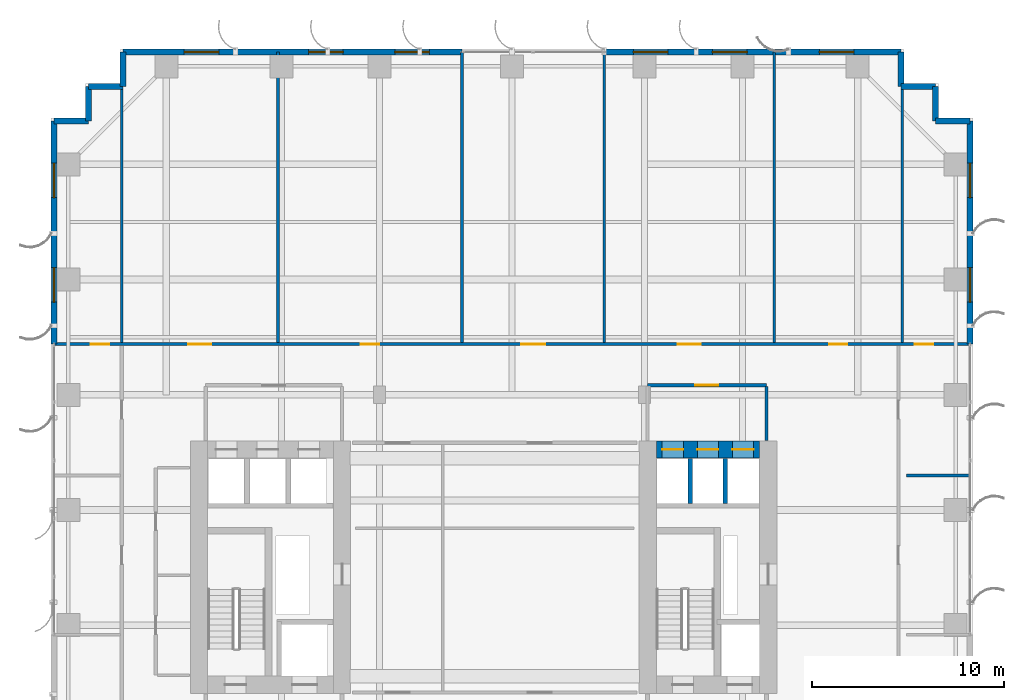
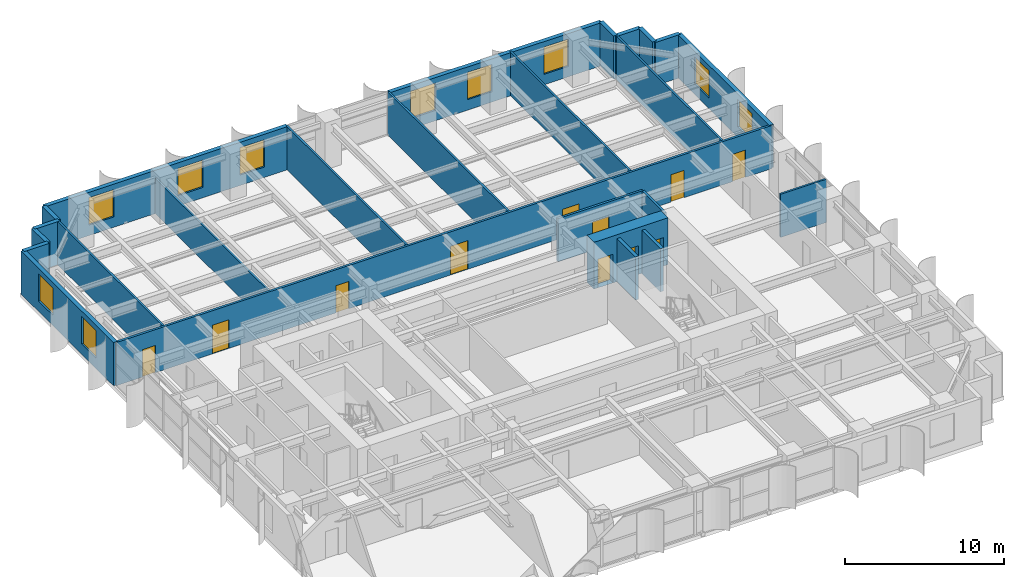
# One storey, part 20 of 25: 25 walls, 11 doors, 10 windows, 21 openings.
"""IFC4 building model written with IfcOpenShell, lengths in metres."""

from ifc_helpers import new_model, si_unit, direction, frame, frame_2d, origin, place, context, subcontext, project, spatial, rectangle, extrude, source, transform, mapped, material, layer, layer_set, type_object, element, fill, save


model = new_model("IFC4")

# Units and contexts
model_context = context("Model", 3, precision=1e-05, world=origin(), true_north=direction((0.0, 1.0)))
body_context = subcontext(model_context, "Body", "Model", "MODEL_VIEW")
ifc_project = project(units=[si_unit("LENGTHUNIT", "METRE"), si_unit("AREAUNIT", "SQUARE_METRE"), si_unit("VOLUMEUNIT", "CUBIC_METRE"), si_unit("PLANEANGLEUNIT", "RADIAN"), si_unit("MASSUNIT", "GRAM", prefix="KILO")], contexts=[model_context])

# Site, building, storey
site_placement = place(None, origin())
site = spatial("IfcSite", under=ifc_project, at=site_placement, CompositionType="ELEMENT")
building_placement = place(site_placement, origin())
building = spatial("IfcBuilding", under=site, at=building_placement, Name="Khoralis Quay Care Tower", CompositionType="ELEMENT")
storey_placement = place(building_placement, frame((0.0, 0.0, 51.300048828125)))
storey = spatial("IfcBuildingStorey", under=building, at=storey_placement, Name="L13", CompositionType="ELEMENT", Elevation=51.300048828125)

# Wall, openings, doors
ifc_material_1 = material(Name="Concrete C80/95", Category="concrete")
ifc_layer_1 = layer(ifc_material_1, 0.89990234375)
ifc_layer_set_1 = layer_set([ifc_layer_1], Name="Concrete C80/95")
wall_type_1 = type_object("IfcWallType", Name="WL-CORE-900", PredefinedType="SHEAR", material=ifc_layer_set_1)
wall_1_placement = place(storey_placement, frame((31.52001953125, 27.14990234375, 0.0), z_axis=(0.0, 0.0, 1.0), x_axis=(1.0, 0.0, 0.0)))
wall_1 = element("IfcWall", 1, at=wall_1_placement, inside=storey, type_object=wall_type_1, Name="L13 ECORE North Shear Wall", PredefinedType="SHEAR", context=body_context, shape_type="SweptSolid", body=[
    extrude(rectangle(XDim=5.3798828125, YDim=0.89990234375, at=frame_2d((2.68994140625, 0.0))), origin(), (0.0, 0.0, 1.0), 3.599853515625),
])
opening_1_placement = place(wall_1_placement, frame((0.300048828125, 0.0, 0.0)))
opening_1 = element("IfcOpeningElement", 2, at=opening_1_placement, cuts=wall_1, Name="Opening LD1", PredefinedType="OPENING", context=body_context, shape_type="SweptSolid", body=[
    extrude(rectangle(XDim=1.10009765625, YDim=2.199951171875, at=frame_2d((0.550048828125, 1.10009765625))), frame((0.0, 0.4599609375, 0.0), z_axis=(0.0, -1.0, 0.0), x_axis=(1.0, 0.0, 0.0)), (0.0, 0.0, 1.0), 0.919921875),
])
opening_2_placement = place(wall_1_placement, frame((2.1298828125, 0.0, 0.0)))
opening_2 = element("IfcOpeningElement", 3, at=opening_2_placement, cuts=wall_1, Name="Opening LD1", PredefinedType="OPENING", context=body_context, shape_type="SweptSolid", body=[
    extrude(rectangle(XDim=1.10009765625, YDim=2.199951171875, at=frame_2d((0.550048828125, 1.10009765625))), frame((0.0, 0.4599609375, 0.0), z_axis=(0.0, -1.0, 0.0), x_axis=(1.0, 0.0, 0.0)), (0.0, 0.0, 1.0), 0.919921875),
])
opening_3_placement = place(wall_1_placement, frame((3.9599609375, 0.0, 0.0)))
opening_3 = element("IfcOpeningElement", 4, at=opening_3_placement, cuts=wall_1, Name="Opening LD1", PredefinedType="OPENING", context=body_context, shape_type="SweptSolid", body=[
    extrude(rectangle(XDim=1.10009765625, YDim=2.199951171875, at=frame_2d((0.550048828125, 1.10009765625))), frame((0.0, 0.4599609375, 0.0), z_axis=(0.0, -1.0, 0.0), x_axis=(1.0, 0.0, 0.0)), (0.0, 0.0, 1.0), 0.919921875),
])
ifc_material_2 = material(Name="Brushed stainless steel", Category="steel")
door_type_1 = type_object("IfcDoorType", Name="DR-LIFT-1100X2200", OperationType="SLIDING_TO_LEFT", PredefinedType="DOOR", material=ifc_material_2)
shared_shape_1 = source(origin(), body_context, "Body", "SweptSolid", [
    extrude(rectangle(XDim=1.10009765625, YDim=2.199951171875, at=frame_2d((0.550048828125, 1.10009765625))), frame((0.0, 0.02490234375, 0.0), z_axis=(0.0, -1.0, 0.0), x_axis=(1.0, 0.0, 0.0)), (0.0, 0.0, 1.0), 0.050048828125),
])
door_1_placement = place(opening_1_placement, origin())
door_1 = element("IfcDoor", 5, at=door_1_placement, inside=storey, type_object=door_type_1, Name="L13 Lift PLL2 Landing Door", OperationType="SLIDING_TO_LEFT", OverallHeight=2.199951171875, OverallWidth=1.10009765625, PredefinedType="DOOR", context=body_context, shape_type="MappedRepresentation", body=[
    mapped(shared_shape_1, transform((0.0, 0.0, 0.0), scale=1.0)),
])
fill(opening_1, door_1)
door_2_placement = place(opening_2_placement, origin())
door_2 = element("IfcDoor", 6, at=door_2_placement, inside=storey, type_object=door_type_1, Name="L13 Lift PLM2 Landing Door", OperationType="SLIDING_TO_LEFT", OverallHeight=2.199951171875, OverallWidth=1.10009765625, PredefinedType="DOOR", context=body_context, shape_type="MappedRepresentation", body=[
    mapped(shared_shape_1, transform((0.0, 0.0, 0.0), scale=1.0)),
])
fill(opening_2, door_2)
door_3_placement = place(opening_3_placement, origin())
door_3 = element("IfcDoor", 7, at=door_3_placement, inside=storey, type_object=door_type_1, Name="L13 Lift PLH2 Landing Door", OperationType="SLIDING_TO_LEFT", OverallHeight=2.199951171875, OverallWidth=1.10009765625, PredefinedType="DOOR", context=body_context, shape_type="MappedRepresentation", body=[
    mapped(shared_shape_1, transform((0.0, 0.0, 0.0), scale=1.0)),
])
fill(opening_3, door_3)

# Wall, opening, door
ifc_material_3 = material(Name="Gypsum plasterboard on acoustic metal stud")
ifc_layer_2 = layer(ifc_material_3, 0.1650390625)
ifc_layer_set_2 = layer_set([ifc_layer_2], Name="Gypsum plasterboard on acoustic metal stud")
wall_type_2 = type_object("IfcWallType", Name="WL-CORR-165", PredefinedType="PARTITIONING", material=ifc_layer_set_2)
wall_2_placement = place(storey_placement, frame((31.050048828125, 30.5, 0.0), z_axis=(0.0, 0.0, 1.0), x_axis=(1.0, 0.0, 0.0)))
wall_2 = element("IfcWall", 8, at=wall_2_placement, inside=storey, type_object=wall_type_2, Name="L13 East Lift Lobby North Wall", PredefinedType="PARTITIONING", context=body_context, shape_type="SweptSolid", body=[
    extrude(rectangle(XDim=6.199951171875, YDim=0.1650390625, at=frame_2d((3.10009765625, 0.0))), origin(), (0.0, 0.0, 1.0), 3.320068359375),
])
opening_4_placement = place(wall_2_placement, frame((2.5, 0.0, 0.0)))
opening_4 = element("IfcOpeningElement", 9, at=opening_4_placement, cuts=wall_2, Name="Opening FD1", PredefinedType="OPENING", context=body_context, shape_type="SweptSolid", body=[
    extrude(rectangle(XDim=1.199951171875, YDim=2.199951171875, at=frame_2d((0.60009765625, 1.10009765625))), frame((0.0, 0.092529296875, 0.0), z_axis=(0.0, -1.0, 0.0), x_axis=(1.0, 0.0, 0.0)), (0.0, 0.0, 1.0), 0.18505859375),
])
ifc_material_4 = material(Name="Fire-rated painted steel", Category="steel")
door_type_2 = type_object("IfcDoorType", Name="DR-FFL-1200X2200", OperationType="NOTDEFINED", PredefinedType="DOOR", material=ifc_material_4)
shared_shape_2 = source(origin(), body_context, "Body", "SweptSolid", [
    extrude(rectangle(XDim=1.199951171875, YDim=2.199951171875, at=frame_2d((0.60009765625, 1.10009765625))), frame((0.0, 0.02490234375, 0.0), z_axis=(0.0, -1.0, 0.0), x_axis=(1.0, 0.0, 0.0)), (0.0, 0.0, 1.0), 0.050048828125),
])
door_4_placement = place(opening_4_placement, origin())
door_4 = element("IfcDoor", 10, at=door_4_placement, inside=storey, type_object=door_type_2, Name="L13 East Lift Lobby Double Door", OperationType="DOUBLE_DOOR_SINGLE_SWING", OverallHeight=2.199951171875, OverallWidth=1.199951171875, PredefinedType="DOOR", context=body_context, shape_type="MappedRepresentation", body=[
    mapped(shared_shape_2, transform((0.0, 0.0, 0.0), scale=1.0)),
])
fill(opening_4, door_4)

# Wall
wall_3_placement = place(storey_placement, frame((37.25, 27.6201171875, 0.0), z_axis=(0.0, 0.0, 1.0), x_axis=(0.0, 1.0, 0.0)))
element("IfcWall", 11, at=wall_3_placement, inside=storey, type_object=wall_type_2, Name="L13 East Lift Lobby East Wall", PredefinedType="PARTITIONING", context=body_context, shape_type="SweptSolid", body=[
    extrude(rectangle(XDim=2.802490234375, YDim=0.1650390625, at=frame_2d((1.4013671875, 0.0))), origin(), (0.0, 0.0, 1.0), 3.320068359375),
])

# Wall, openings, doors
wall_4_placement = place(storey_placement, frame((0.14501953125, 32.639892578125, 0.0), z_axis=(0.0, 0.0, 1.0), x_axis=(1.0, 0.0, 0.0)))
wall_4 = element("IfcWall", 12, at=wall_4_placement, inside=storey, type_object=wall_type_2, Name="L13 North Main Corridor Wall", PredefinedType="PARTITIONING", context=body_context, shape_type="SweptSolid", body=[
    extrude(rectangle(XDim=47.7099609375, YDim=0.1650390625, at=frame_2d((23.85498046875, 0.0))), origin(), (0.0, 0.0, 1.0), 3.320068359375),
])
opening_5_placement = place(wall_4_placement, frame((7.0, 0.0, 0.0)))
opening_5 = element("IfcOpeningElement", 13, at=opening_5_placement, cuts=wall_4, Name="Opening FD1", PredefinedType="OPENING", context=body_context, shape_type="SweptSolid", body=[
    extrude(rectangle(XDim=1.199951171875, YDim=2.199951171875, at=frame_2d((0.60009765625, 1.10009765625))), frame((0.0, 0.092529296875, 0.0), z_axis=(0.0, -1.0, 0.0), x_axis=(1.0, 0.0, 0.0)), (0.0, 0.0, 1.0), 0.18505859375),
])
opening_6_placement = place(wall_4_placement, frame((15.985107421875, 0.0, 0.0)))
opening_6 = element("IfcOpeningElement", 14, at=opening_6_placement, cuts=wall_4, Name="Opening ID1", PredefinedType="OPENING", context=body_context, shape_type="SweptSolid", body=[
    extrude(rectangle(XDim=0.949951171875, YDim=2.10009765625, at=frame_2d((0.47509765625, 1.050048828125))), frame((0.0, 0.092529296875, 0.0), z_axis=(0.0, -1.0, 0.0), x_axis=(1.0, 0.0, 0.0)), (0.0, 0.0, 1.0), 0.18505859375),
])
opening_7_placement = place(wall_4_placement, frame((24.330078125, 0.0, 0.0)))
opening_7 = element("IfcOpeningElement", 15, at=opening_7_placement, cuts=wall_4, Name="Opening CD1", PredefinedType="OPENING", context=body_context, shape_type="SweptSolid", body=[
    extrude(rectangle(XDim=1.25, YDim=2.199951171875, at=frame_2d((0.625, 1.10009765625))), frame((0.0, 0.092529296875, 0.0), z_axis=(0.0, -1.0, 0.0), x_axis=(1.0, 0.0, 0.0)), (0.0, 0.0, 1.0), 0.18505859375),
])
opening_8_placement = place(wall_4_placement, frame((32.485107421875, 0.0, 0.0)))
opening_8 = element("IfcOpeningElement", 16, at=opening_8_placement, cuts=wall_4, Name="Opening FD1", PredefinedType="OPENING", context=body_context, shape_type="SweptSolid", body=[
    extrude(rectangle(XDim=1.199951171875, YDim=2.199951171875, at=frame_2d((0.60009765625, 1.10009765625))), frame((0.0, 0.092529296875, 0.0), z_axis=(0.0, -1.0, 0.0), x_axis=(1.0, 0.0, 0.0)), (0.0, 0.0, 1.0), 0.18505859375),
])
opening_9_placement = place(wall_4_placement, frame((40.3701171875, 0.0, 0.0)))
opening_9 = element("IfcOpeningElement", 17, at=opening_9_placement, cuts=wall_4, Name="Opening ID1", PredefinedType="OPENING", context=body_context, shape_type="SweptSolid", body=[
    extrude(rectangle(XDim=0.949951171875, YDim=2.10009765625, at=frame_2d((0.47509765625, 1.050048828125))), frame((0.0, 0.092529296875, 0.0), z_axis=(0.0, -1.0, 0.0), x_axis=(1.0, 0.0, 0.0)), (0.0, 0.0, 1.0), 0.18505859375),
])
opening_10_placement = place(wall_4_placement, frame((1.919921875, 0.0, 0.0)))
opening_10 = element("IfcOpeningElement", 18, at=opening_10_placement, cuts=wall_4, Name="Opening ID1", PredefinedType="OPENING", context=body_context, shape_type="SweptSolid", body=[
    extrude(rectangle(XDim=0.949951171875, YDim=2.10009765625, at=frame_2d((0.47509765625, 1.050048828125))), frame((0.0, 0.092529296875, 0.0), z_axis=(0.0, -1.0, 0.0), x_axis=(1.0, 0.0, 0.0)), (0.0, 0.0, 1.0), 0.18505859375),
])
opening_11_placement = place(wall_4_placement, frame((44.840087890625, 0.0, 0.0)))
opening_11 = element("IfcOpeningElement", 19, at=opening_11_placement, cuts=wall_4, Name="Opening ID1", PredefinedType="OPENING", context=body_context, shape_type="SweptSolid", body=[
    extrude(rectangle(XDim=0.949951171875, YDim=2.10009765625, at=frame_2d((0.47509765625, 1.050048828125))), frame((0.0, 0.092529296875, 0.0), z_axis=(0.0, -1.0, 0.0), x_axis=(1.0, 0.0, 0.0)), (0.0, 0.0, 1.0), 0.18505859375),
])
door_5_placement = place(opening_5_placement, origin())
door_5 = element("IfcDoor", 20, at=door_5_placement, inside=storey, type_object=door_type_2, Name="L13 Senior Wellness Pharmacy Shop Door", OperationType="DOUBLE_DOOR_SINGLE_SWING", OverallHeight=2.199951171875, OverallWidth=1.199951171875, PredefinedType="DOOR", context=body_context, shape_type="MappedRepresentation", body=[
    mapped(shared_shape_2, transform((0.0, 0.0, 0.0), scale=1.0)),
])
fill(opening_5, door_5)
door_6_placement = place(opening_8_placement, origin())
door_6 = element("IfcDoor", 21, at=door_6_placement, inside=storey, type_object=door_type_2, Name="L13 Assisted Communal Dining Room Door", OperationType="DOUBLE_DOOR_SINGLE_SWING", OverallHeight=2.199951171875, OverallWidth=1.199951171875, PredefinedType="DOOR", context=body_context, shape_type="MappedRepresentation", body=[
    mapped(shared_shape_2, transform((0.0, 0.0, 0.0), scale=1.0)),
])
fill(opening_8, door_6)
ifc_material_5 = material(Name="Acoustic hardwood timber", Category="wood")
door_type_3 = type_object("IfcDoorType", Name="DR-CARE-1250X2200", OperationType="NOTDEFINED", PredefinedType="DOOR", material=ifc_material_5)
shared_shape_3 = source(origin(), body_context, "Body", "SweptSolid", [
    extrude(rectangle(XDim=1.25, YDim=2.199951171875, at=frame_2d((0.625, 1.10009765625))), frame((0.0, 0.02490234375, 0.0), z_axis=(0.0, -1.0, 0.0), x_axis=(1.0, 0.0, 0.0)), (0.0, 0.0, 1.0), 0.050048828125),
])
door_7_placement = place(opening_7_placement, origin())
door_7 = element("IfcDoor", 22, at=door_7_placement, inside=storey, type_object=door_type_3, Name="L13 Physiotherapy Treatment Clinic Door", OperationType="SINGLE_SWING_LEFT", OverallHeight=2.199951171875, OverallWidth=1.25, PredefinedType="DOOR", context=body_context, shape_type="MappedRepresentation", body=[
    mapped(shared_shape_3, transform((0.0, 0.0, 0.0), scale=1.0)),
])
fill(opening_7, door_7)
door_type_4 = type_object("IfcDoorType", Name="DR-ROOM-950X2100", OperationType="NOTDEFINED", PredefinedType="DOOR", material=ifc_material_5)
shared_shape_4 = source(origin(), body_context, "Body", "SweptSolid", [
    extrude(rectangle(XDim=0.949951171875, YDim=2.10009765625, at=frame_2d((0.47509765625, 1.050048828125))), frame((0.0, 0.02490234375, 0.0), z_axis=(0.0, -1.0, 0.0), x_axis=(1.0, 0.0, 0.0)), (0.0, 0.0, 1.0), 0.050048828125),
])
door_8_placement = place(opening_6_placement, origin())
door_8 = element("IfcDoor", 23, at=door_8_placement, inside=storey, type_object=door_type_4, Name="L13 Family Case Conference Room Door", OperationType="SINGLE_SWING_LEFT", OverallHeight=2.10009765625, OverallWidth=0.949951171875, PredefinedType="DOOR", context=body_context, shape_type="MappedRepresentation", body=[
    mapped(shared_shape_4, transform((0.0, 0.0, 0.0), scale=1.0)),
])
fill(opening_6, door_8)
door_9_placement = place(opening_9_placement, origin())
door_9 = element("IfcDoor", 24, at=door_9_placement, inside=storey, type_object=door_type_4, Name="L13 Care Coordination Office Door", OperationType="SINGLE_SWING_RIGHT", OverallHeight=2.10009765625, OverallWidth=0.949951171875, PredefinedType="DOOR", context=body_context, shape_type="MappedRepresentation", body=[
    mapped(shared_shape_4, transform((0.0, 0.0, 0.0), scale=1.0)),
])
fill(opening_9, door_9)
door_10_placement = place(opening_10_placement, origin())
door_10 = element("IfcDoor", 25, at=door_10_placement, inside=storey, type_object=door_type_4, Name="L13 NW Corner Door", OperationType="SINGLE_SWING_RIGHT", OverallHeight=2.10009765625, OverallWidth=0.949951171875, PredefinedType="DOOR", context=body_context, shape_type="MappedRepresentation", body=[
    mapped(shared_shape_4, transform((0.0, 0.0, 0.0), scale=1.0)),
])
fill(opening_10, door_10)
door_11_placement = place(opening_11_placement, origin())
door_11 = element("IfcDoor", 26, at=door_11_placement, inside=storey, type_object=door_type_4, Name="L13 NE Corner Door", OperationType="SINGLE_SWING_LEFT", OverallHeight=2.10009765625, OverallWidth=0.949951171875, PredefinedType="DOOR", context=body_context, shape_type="MappedRepresentation", body=[
    mapped(shared_shape_4, transform((0.0, 0.0, 0.0), scale=1.0)),
])
fill(opening_11, door_11)

# Wall, openings, windows
ifc_material_6 = material(Name="Precast concrete C45/55", Category="concrete")
ifc_layer_3 = layer(ifc_material_6, 0.300048828125)
ifc_layer_set_3 = layer_set([ifc_layer_3], Name="Precast concrete C45/55")
wall_type_3 = type_object("IfcWallType", Name="WL-EXT-REF-300", PredefinedType="SOLIDWALL", material=ifc_layer_set_3)
wall_5_placement = place(storey_placement, frame((47.85009765625, 32.639892578125, 0.0), z_axis=(0.0, 0.0, 1.0), x_axis=(0.0, 1.0, 0.0)))
wall_5 = element("IfcWall", 27, at=wall_5_placement, inside=storey, type_object=wall_type_3, Name="L13 External Facade Wall WL-EXT-L13-P1-E5B", PredefinedType="SOLIDWALL", context=body_context, shape_type="SweptSolid", body=[
    extrude(rectangle(XDim=11.610107421875, YDim=0.300048828125, at=frame_2d((5.80517578125, 0.0))), origin(), (0.0, 0.0, 1.0), 3.320068359375),
])
opening_12_placement = place(wall_5_placement, frame((2.1826171875, 0.0, 0.800048828125)))
opening_12 = element("IfcOpeningElement", 28, at=opening_12_placement, cuts=wall_5, Name="Opening W2", PredefinedType="OPENING", context=body_context, shape_type="SweptSolid", body=[
    extrude(rectangle(XDim=1.800048828125, YDim=2.10009765625, at=frame_2d((0.89990234375, 1.050048828125))), frame((0.0, 0.16015625, 0.0), z_axis=(0.0, -1.0, 0.0), x_axis=(1.0, 0.0, 0.0)), (0.0, 0.0, 1.0), 0.320068359375),
])
opening_13_placement = place(wall_5_placement, frame((7.62744140625, 0.0, 0.800048828125)))
opening_13 = element("IfcOpeningElement", 29, at=opening_13_placement, cuts=wall_5, Name="Opening W2", PredefinedType="OPENING", context=body_context, shape_type="SweptSolid", body=[
    extrude(rectangle(XDim=1.800048828125, YDim=2.10009765625, at=frame_2d((0.89990234375, 1.050048828125))), frame((0.0, 0.16015625, 0.0), z_axis=(0.0, -1.0, 0.0), x_axis=(1.0, 0.0, 0.0)), (0.0, 0.0, 1.0), 0.320068359375),
])
ifc_material_7 = material(Name="Low-E solar-control double glazing", Category="glass")
window_type = type_object("IfcWindowType", Name="WN-POD-1800X2100", PartitioningType="SINGLE_PANEL", PredefinedType="WINDOW", material=ifc_material_7)
shared_shape_5 = source(origin(), body_context, "Body", "SweptSolid", [
    extrude(rectangle(XDim=1.800048828125, YDim=2.10009765625, at=frame_2d((0.89990234375, 1.050048828125))), frame((0.0, 0.030029296875, 0.0), z_axis=(0.0, -1.0, 0.0), x_axis=(1.0, 0.0, 0.0)), (0.0, 0.0, 1.0), 0.06005859375),
])
window_1_placement = place(opening_12_placement, origin())
window_1 = element("IfcWindow", 30, at=window_1_placement, inside=storey, type_object=window_type, Name="WN-L13-P1-E5B Facade Window 01", OverallHeight=2.10009765625, OverallWidth=1.800048828125, PartitioningType="SINGLE_PANEL", PredefinedType="WINDOW", context=body_context, shape_type="MappedRepresentation", body=[
    mapped(shared_shape_5, transform((0.0, 0.0, 0.0), scale=1.0)),
])
fill(opening_12, window_1)
window_2_placement = place(opening_13_placement, origin())
window_2 = element("IfcWindow", 31, at=window_2_placement, inside=storey, type_object=window_type, Name="WN-L13-P1-E5B Facade Window 02", OverallHeight=2.10009765625, OverallWidth=1.800048828125, PartitioningType="SINGLE_PANEL", PredefinedType="WINDOW", context=body_context, shape_type="MappedRepresentation", body=[
    mapped(shared_shape_5, transform((0.0, 0.0, 0.0), scale=1.0)),
])
fill(opening_13, window_2)

# Walls
for number, where, z_axis, x_axis, name in (
    (32, (47.85009765625, 44.25, 0.0), (0.0, 0.0, 1.0), (-1.0, 0.0, 0.0), "L13 External Facade Wall WL-EXT-L13-P1-C6"),
    (33, (46.050048828125, 44.25, 0.0), (0.0, 0.0, 1.0), (0.0, 1.0, 0.0), "L13 External Facade Wall WL-EXT-L13-P1-C7"),
    (34, (46.050048828125, 46.050048828125, 0.0), (0.0, 0.0, 1.0), (-1.0, 0.0, 0.0), "L13 External Facade Wall WL-EXT-L13-P1-C8"),
    (35, (44.25, 46.050048828125, 0.0), (0.0, 0.0, 1.0), (0.0, 1.0, 0.0), "L13 External Facade Wall WL-EXT-L13-P1-C9"),
):
    element("IfcWall", number, at=place(storey_placement, frame(where, z_axis=z_axis, x_axis=x_axis)), inside=storey, type_object=wall_type_3, Name=name, PredefinedType="SOLIDWALL", context=body_context, shape_type="SweptSolid", body=[
        extrude(rectangle(XDim=1.800048828125, YDim=0.300048828125, at=frame_2d((0.89990234375, 0.0))), origin(), (0.0, 0.0, 1.0), 3.320068359375),
    ])

# Wall, openings, windows
wall_6_placement = place(storey_placement, frame((44.25, 47.85009765625, 0.0), z_axis=(0.0, 0.0, 1.0), x_axis=(-1.0, 0.0, 0.0)))
wall_6 = element("IfcWall", 36, at=wall_6_placement, inside=storey, type_object=wall_type_3, Name="L13 External Facade Wall WL-EXT-L13-P1-E10A", PredefinedType="SOLIDWALL", context=body_context, shape_type="SweptSolid", body=[
    extrude(rectangle(XDim=15.449951171875, YDim=0.300048828125, at=frame_2d((7.72509765625, 0.0))), origin(), (0.0, 0.0, 1.0), 3.320068359375),
])
opening_14_placement = place(wall_6_placement, frame((2.445068359375, 0.0, 0.800048828125)))
opening_14 = element("IfcOpeningElement", 37, at=opening_14_placement, cuts=wall_6, Name="Opening W2", PredefinedType="OPENING", context=body_context, shape_type="SweptSolid", body=[
    extrude(rectangle(XDim=1.800048828125, YDim=2.10009765625, at=frame_2d((0.89990234375, 1.050048828125))), frame((0.0, 0.16015625, 0.0), z_axis=(0.0, -1.0, 0.0), x_axis=(1.0, 0.0, 0.0)), (0.0, 0.0, 1.0), 0.320068359375),
])
opening_15_placement = place(wall_6_placement, frame((8.010009765625, 0.0, 0.800048828125)))
opening_15 = element("IfcOpeningElement", 38, at=opening_15_placement, cuts=wall_6, Name="Opening W2", PredefinedType="OPENING", context=body_context, shape_type="SweptSolid", body=[
    extrude(rectangle(XDim=1.800048828125, YDim=2.10009765625, at=frame_2d((0.89990234375, 1.050048828125))), frame((0.0, 0.16015625, 0.0), z_axis=(0.0, -1.0, 0.0), x_axis=(1.0, 0.0, 0.0)), (0.0, 0.0, 1.0), 0.320068359375),
])
opening_16_placement = place(wall_6_placement, frame((12.1298828125, 0.0, 0.800048828125)))
opening_16 = element("IfcOpeningElement", 39, at=opening_16_placement, cuts=wall_6, Name="Opening W2", PredefinedType="OPENING", context=body_context, shape_type="SweptSolid", body=[
    extrude(rectangle(XDim=1.800048828125, YDim=2.10009765625, at=frame_2d((0.89990234375, 1.050048828125))), frame((0.0, 0.16015625, 0.0), z_axis=(0.0, -1.0, 0.0), x_axis=(1.0, 0.0, 0.0)), (0.0, 0.0, 1.0), 0.320068359375),
])
window_3_placement = place(opening_14_placement, origin())
window_3 = element("IfcWindow", 40, at=window_3_placement, inside=storey, type_object=window_type, Name="WN-L13-P1-E10A Facade Window 01", OverallHeight=2.10009765625, OverallWidth=1.800048828125, PartitioningType="SINGLE_PANEL", PredefinedType="WINDOW", context=body_context, shape_type="MappedRepresentation", body=[
    mapped(shared_shape_5, transform((0.0, 0.0, 0.0), scale=1.0)),
])
fill(opening_14, window_3)
window_4_placement = place(opening_15_placement, origin())
window_4 = element("IfcWindow", 41, at=window_4_placement, inside=storey, type_object=window_type, Name="WN-L13-P1-E10A Facade Window 02", OverallHeight=2.10009765625, OverallWidth=1.800048828125, PartitioningType="SINGLE_PANEL", PredefinedType="WINDOW", context=body_context, shape_type="MappedRepresentation", body=[
    mapped(shared_shape_5, transform((0.0, 0.0, 0.0), scale=1.0)),
])
fill(opening_15, window_4)
window_5_placement = place(opening_16_placement, origin())
window_5 = element("IfcWindow", 42, at=window_5_placement, inside=storey, type_object=window_type, Name="WN-L13-P1-E10A Facade Window 03", OverallHeight=2.10009765625, OverallWidth=1.800048828125, PartitioningType="SINGLE_PANEL", PredefinedType="WINDOW", context=body_context, shape_type="MappedRepresentation", body=[
    mapped(shared_shape_5, transform((0.0, 0.0, 0.0), scale=1.0)),
])
fill(opening_16, window_5)

wall_7_placement = place(storey_placement, frame((21.39990234375, 47.85009765625, 0.0), z_axis=(0.0, 0.0, 1.0), x_axis=(-1.0, 0.0, 0.0)))
wall_7 = element("IfcWall", 43, at=wall_7_placement, inside=storey, type_object=wall_type_3, Name="L13 External Facade Wall WL-EXT-L13-P1-E10B", PredefinedType="SOLIDWALL", context=body_context, shape_type="SweptSolid", body=[
    extrude(rectangle(XDim=17.64990234375, YDim=0.300048828125, at=frame_2d((8.824951171875, 0.0))), origin(), (0.0, 0.0, 1.0), 3.320068359375),
])
opening_17_placement = place(wall_7_placement, frame((1.702392578125, 0.0, 0.800048828125)))
opening_17 = element("IfcOpeningElement", 44, at=opening_17_placement, cuts=wall_7, Name="Opening W2", PredefinedType="OPENING", context=body_context, shape_type="SweptSolid", body=[
    extrude(rectangle(XDim=1.800048828125, YDim=2.10009765625, at=frame_2d((0.89990234375, 1.050048828125))), frame((0.0, 0.16015625, 0.0), z_axis=(0.0, -1.0, 0.0), x_axis=(1.0, 0.0, 0.0)), (0.0, 0.0, 1.0), 0.320068359375),
])
opening_18_placement = place(wall_7_placement, frame((6.1875, 0.0, 0.800048828125)))
opening_18 = element("IfcOpeningElement", 45, at=opening_18_placement, cuts=wall_7, Name="Opening W2", PredefinedType="OPENING", context=body_context, shape_type="SweptSolid", body=[
    extrude(rectangle(XDim=1.800048828125, YDim=2.10009765625, at=frame_2d((0.89990234375, 1.050048828125))), frame((0.0, 0.16015625, 0.0), z_axis=(0.0, -1.0, 0.0), x_axis=(1.0, 0.0, 0.0)), (0.0, 0.0, 1.0), 0.320068359375),
])
opening_19_placement = place(wall_7_placement, frame((12.669921875, 0.0, 0.800048828125)))
opening_19 = element("IfcOpeningElement", 46, at=opening_19_placement, cuts=wall_7, Name="Opening W2", PredefinedType="OPENING", context=body_context, shape_type="SweptSolid", body=[
    extrude(rectangle(XDim=1.800048828125, YDim=2.10009765625, at=frame_2d((0.89990234375, 1.050048828125))), frame((0.0, 0.16015625, 0.0), z_axis=(0.0, -1.0, 0.0), x_axis=(1.0, 0.0, 0.0)), (0.0, 0.0, 1.0), 0.320068359375),
])
window_6_placement = place(opening_17_placement, origin())
window_6 = element("IfcWindow", 47, at=window_6_placement, inside=storey, type_object=window_type, Name="WN-L13-P1-E10B Facade Window 01", OverallHeight=2.10009765625, OverallWidth=1.800048828125, PartitioningType="SINGLE_PANEL", PredefinedType="WINDOW", context=body_context, shape_type="MappedRepresentation", body=[
    mapped(shared_shape_5, transform((0.0, 0.0, 0.0), scale=1.0)),
])
fill(opening_17, window_6)
window_7_placement = place(opening_18_placement, origin())
window_7 = element("IfcWindow", 48, at=window_7_placement, inside=storey, type_object=window_type, Name="WN-L13-P1-E10B Facade Window 02", OverallHeight=2.10009765625, OverallWidth=1.800048828125, PartitioningType="SINGLE_PANEL", PredefinedType="WINDOW", context=body_context, shape_type="MappedRepresentation", body=[
    mapped(shared_shape_5, transform((0.0, 0.0, 0.0), scale=1.0)),
])
fill(opening_18, window_7)
window_8_placement = place(opening_19_placement, origin())
window_8 = element("IfcWindow", 49, at=window_8_placement, inside=storey, type_object=window_type, Name="WN-L13-P1-E10B Facade Window 03", OverallHeight=2.10009765625, OverallWidth=1.800048828125, PartitioningType="SINGLE_PANEL", PredefinedType="WINDOW", context=body_context, shape_type="MappedRepresentation", body=[
    mapped(shared_shape_5, transform((0.0, 0.0, 0.0), scale=1.0)),
])
fill(opening_19, window_8)

# Walls
for number, where, z_axis, x_axis, name in (
    (50, (3.75, 47.85009765625, 0.0), (0.0, 0.0, 1.0), (0.0, -1.0, 0.0), "L13 External Facade Wall WL-EXT-L13-P1-C11"),
    (51, (3.75, 46.050048828125, 0.0), (0.0, 0.0, 1.0), (-1.0, 0.0, 0.0), "L13 External Facade Wall WL-EXT-L13-P1-C12"),
    (52, (1.949951171875, 46.050048828125, 0.0), (0.0, 0.0, 1.0), (0.0, -1.0, 0.0), "L13 External Facade Wall WL-EXT-L13-P1-C13"),
    (53, (1.949951171875, 44.25, 0.0), (0.0, 0.0, 1.0), (-1.0, 0.0, 0.0), "L13 External Facade Wall WL-EXT-L13-P1-C14"),
):
    element("IfcWall", number, at=place(storey_placement, frame(where, z_axis=z_axis, x_axis=x_axis)), inside=storey, type_object=wall_type_3, Name=name, PredefinedType="SOLIDWALL", context=body_context, shape_type="SweptSolid", body=[
        extrude(rectangle(XDim=1.800048828125, YDim=0.300048828125, at=frame_2d((0.89990234375, 0.0))), origin(), (0.0, 0.0, 1.0), 3.320068359375),
    ])

# Wall, openings, windows
wall_8_placement = place(storey_placement, frame((0.14990234375, 44.25, 0.0), z_axis=(0.0, 0.0, 1.0), x_axis=(0.0, -1.0, 0.0)))
wall_8 = element("IfcWall", 54, at=wall_8_placement, inside=storey, type_object=wall_type_3, Name="L13 External Facade Wall WL-EXT-L13-P1-E15A", PredefinedType="SOLIDWALL", context=body_context, shape_type="SweptSolid", body=[
    extrude(rectangle(XDim=11.610107421875, YDim=0.300048828125, at=frame_2d((5.80517578125, 0.0))), origin(), (0.0, 0.0, 1.0), 3.320068359375),
])
opening_20_placement = place(wall_8_placement, frame((2.1826171875, 0.0, 0.800048828125)))
opening_20 = element("IfcOpeningElement", 55, at=opening_20_placement, cuts=wall_8, Name="Opening W2", PredefinedType="OPENING", context=body_context, shape_type="SweptSolid", body=[
    extrude(rectangle(XDim=1.800048828125, YDim=2.10009765625, at=frame_2d((0.89990234375, 1.050048828125))), frame((0.0, 0.16015625, 0.0), z_axis=(0.0, -1.0, 0.0), x_axis=(1.0, 0.0, 0.0)), (0.0, 0.0, 1.0), 0.320068359375),
])
opening_21_placement = place(wall_8_placement, frame((7.62744140625, 0.0, 0.800048828125)))
opening_21 = element("IfcOpeningElement", 56, at=opening_21_placement, cuts=wall_8, Name="Opening W2", PredefinedType="OPENING", context=body_context, shape_type="SweptSolid", body=[
    extrude(rectangle(XDim=1.800048828125, YDim=2.10009765625, at=frame_2d((0.89990234375, 1.050048828125))), frame((0.0, 0.16015625, 0.0), z_axis=(0.0, -1.0, 0.0), x_axis=(1.0, 0.0, 0.0)), (0.0, 0.0, 1.0), 0.320068359375),
])
window_9_placement = place(opening_20_placement, origin())
window_9 = element("IfcWindow", 57, at=window_9_placement, inside=storey, type_object=window_type, Name="WN-L13-P1-E15A Facade Window 01", OverallHeight=2.10009765625, OverallWidth=1.800048828125, PartitioningType="SINGLE_PANEL", PredefinedType="WINDOW", context=body_context, shape_type="MappedRepresentation", body=[
    mapped(shared_shape_5, transform((0.0, 0.0, 0.0), scale=1.0)),
])
fill(opening_20, window_9)
window_10_placement = place(opening_21_placement, origin())
window_10 = element("IfcWindow", 58, at=window_10_placement, inside=storey, type_object=window_type, Name="WN-L13-P1-E15A Facade Window 02", OverallHeight=2.10009765625, OverallWidth=1.800048828125, PartitioningType="SINGLE_PANEL", PredefinedType="WINDOW", context=body_context, shape_type="MappedRepresentation", body=[
    mapped(shared_shape_5, transform((0.0, 0.0, 0.0), scale=1.0)),
])
fill(opening_21, window_10)

# Walls
ifc_layer_4 = layer(ifc_material_3, 0.239990234375)
ifc_layer_set_4 = layer_set([ifc_layer_4], Name="Gypsum plasterboard on acoustic metal stud")
wall_type_4 = type_object("IfcWallType", Name="WL-SHAFT-240", PredefinedType="PARTITIONING", material=ifc_layer_set_4)
for number, where, z_axis, x_axis, name in (
    (59, (33.2900390625, 24.344970703125, 0.0), (0.0, 0.0, 1.0), (0.0, 1.0, 0.0), "L13 East Shaft Divider 1"),
    (60, (35.110107421875, 24.344970703125, 0.0), (0.0, 0.0, 1.0), (0.0, 1.0, 0.0), "L13 East Shaft Divider 2"),
):
    element("IfcWall", number, at=place(storey_placement, frame(where, z_axis=z_axis, x_axis=x_axis)), inside=storey, type_object=wall_type_4, Name=name, PredefinedType="PARTITIONING", context=body_context, shape_type="SweptSolid", body=[
        extrude(rectangle(XDim=2.3349609375, YDim=0.239990234375, at=frame_2d((1.16748046875, 0.0))), origin(), (0.0, 0.0, 1.0), 3.320068359375),
    ])
ifc_layer_5 = layer(ifc_material_3, 0.139892578125)
ifc_layer_set_5 = layer_set([ifc_layer_5], Name="Gypsum plasterboard on acoustic metal stud")
wall_type_5 = type_object("IfcWallType", Name="WL-UNIT-140", PredefinedType="PARTITIONING", material=ifc_layer_set_5)
wall_9_placement = place(storey_placement, frame((44.5400390625, 25.800048828125, 0.0), z_axis=(0.0, 0.0, 1.0), x_axis=(1.0, 0.0, 0.0)))
element("IfcWall", 61, at=wall_9_placement, inside=storey, type_object=wall_type_5, Name="L13 EE Divider 2", PredefinedType="PARTITIONING", context=body_context, shape_type="SweptSolid", body=[
    extrude(rectangle(XDim=3.31494140625, YDim=0.139892578125, at=frame_2d((1.657470703125, 0.0))), origin(), (0.0, 0.0, 1.0), 3.320068359375),
])
wall_10_placement = place(storey_placement, frame((3.679931640625, 32.717529296875, 0.0), z_axis=(0.0, 0.0, 1.0), x_axis=(0.0, 1.0, 0.0)))
element("IfcWall", 62, at=wall_10_placement, inside=storey, type_object=wall_type_5, Name="L13 NB Demising Wall 0", PredefinedType="PARTITIONING", context=body_context, shape_type="SweptSolid", body=[
    extrude(rectangle(XDim=13.33740234375, YDim=0.139892578125, at=frame_2d((6.668701171875, 0.0))), origin(), (0.0, 0.0, 1.0), 3.320068359375),
])
wall_11_placement = place(storey_placement, frame((11.81005859375, 32.717529296875, 0.0), z_axis=(0.0, 0.0, 1.0), x_axis=(0.0, 1.0, 0.0)))
element("IfcWall", 63, at=wall_11_placement, inside=storey, type_object=wall_type_5, Name="L13 NB Demising Wall 1", PredefinedType="PARTITIONING", context=body_context, shape_type="SweptSolid", body=[
    extrude(rectangle(XDim=15.137451171875, YDim=0.139892578125, at=frame_2d((7.56884765625, 0.0))), origin(), (0.0, 0.0, 1.0), 2.703857421875),
])
for number, where, z_axis, x_axis, name in (
    (64, (21.39990234375, 32.717529296875, 0.0), (0.0, 0.0, 1.0), (0.0, 1.0, 0.0), "L13 NB Demising Wall 2"),
    (65, (28.800048828125, 32.717529296875, 0.0), (0.0, 0.0, 1.0), (0.0, 1.0, 0.0), "L13 NB Demising Wall 3"),
    (66, (37.659912109375, 32.717529296875, 0.0), (0.0, 0.0, 1.0), (0.0, 1.0, 0.0), "L13 NB Demising Wall 4"),
):
    element("IfcWall", number, at=place(storey_placement, frame(where, z_axis=z_axis, x_axis=x_axis)), inside=storey, type_object=wall_type_5, Name=name, PredefinedType="PARTITIONING", context=body_context, shape_type="SweptSolid", body=[
        extrude(rectangle(XDim=15.137451171875, YDim=0.139892578125, at=frame_2d((7.56884765625, 0.0))), origin(), (0.0, 0.0, 1.0), 3.320068359375),
    ])
wall_12_placement = place(storey_placement, frame((44.320068359375, 32.717529296875, 0.0), z_axis=(0.0, 0.0, 1.0), x_axis=(0.0, 1.0, 0.0)))
element("IfcWall", 67, at=wall_12_placement, inside=storey, type_object=wall_type_5, Name="L13 NB Demising Wall 5", PredefinedType="PARTITIONING", context=body_context, shape_type="SweptSolid", body=[
    extrude(rectangle(XDim=13.33740234375, YDim=0.139892578125, at=frame_2d((6.668701171875, 0.0))), origin(), (0.0, 0.0, 1.0), 3.320068359375),
])

save(model, "model.ifc")
